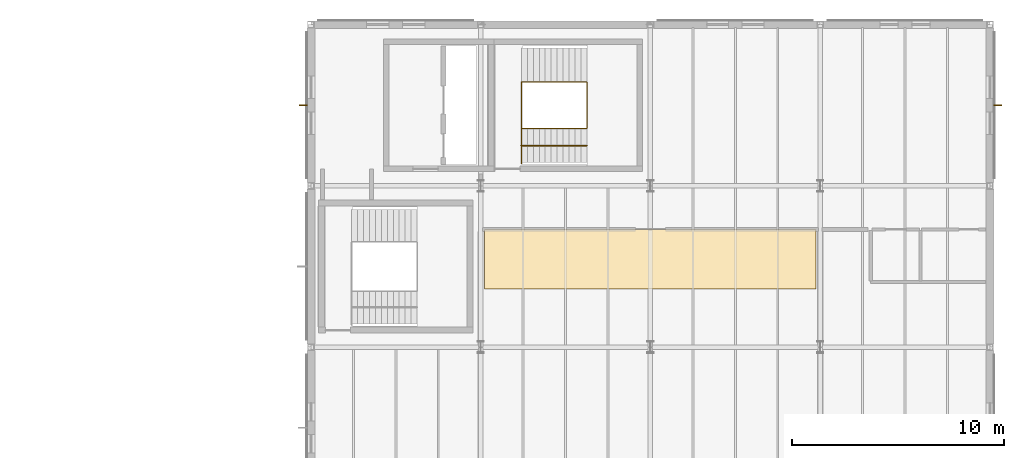
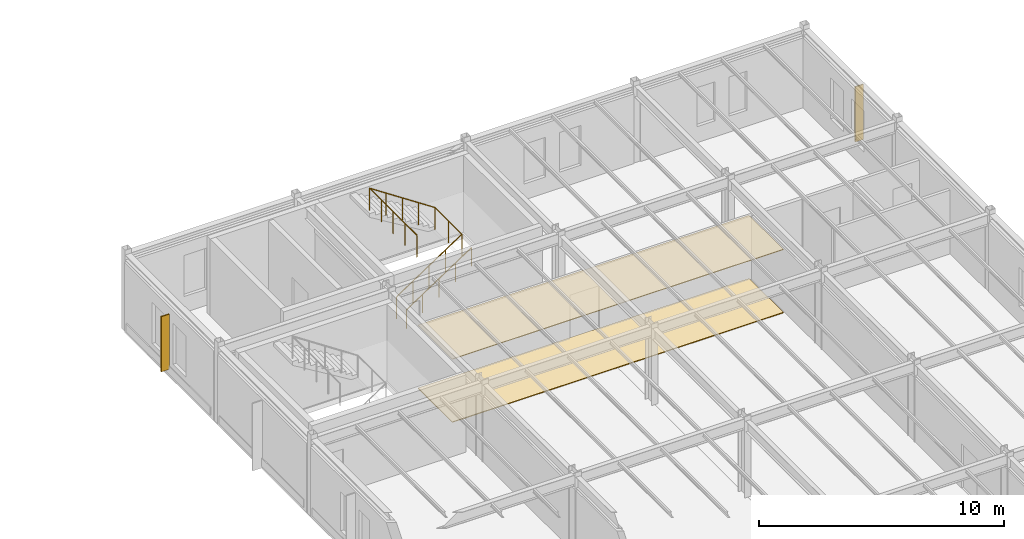
# One storey, part 165 of 165: 2 coverings, 2 railings, 2 shading devices.
"""IFC4 building model written with IfcOpenShell, lengths in metres."""

from ifc_helpers import new_model, si_unit, direction, frame, origin, origin_2d, place, context, subcontext, project, spatial, polyline, rectangle, circle, outline, extrude, material, layer, layer_set, type_object, element, save


model = new_model("IFC4")

# Units and contexts
model_context = context("Model", 3, precision=1e-05, world=origin(), true_north=direction((0.0, 1.0)))
body_context = subcontext(model_context, "Body", "Model", "MODEL_VIEW")
ifc_project = project(units=[si_unit("LENGTHUNIT", "METRE"), si_unit("AREAUNIT", "SQUARE_METRE"), si_unit("VOLUMEUNIT", "CUBIC_METRE"), si_unit("PLANEANGLEUNIT", "RADIAN"), si_unit("MASSUNIT", "GRAM", prefix="KILO")], contexts=[model_context])

# Site, building, storey
site_placement = place(None, origin())
site = spatial("IfcSite", under=ifc_project, at=site_placement, CompositionType="ELEMENT")
building_placement = place(site_placement, origin())
building = spatial("IfcBuilding", under=site, at=building_placement, Name="Montecoro Central Library", CompositionType="ELEMENT")
storey_placement = place(building_placement, frame((0.0, 0.0, 5.10009765625)))
storey = spatial("IfcBuildingStorey", under=building, at=storey_placement, Name="L01", CompositionType="ELEMENT", Elevation=5.10009765625)

# Coverings
ifc_material_1 = material(Name="Acoustic perforated mineral ceiling")
ifc_layer_1 = layer(ifc_material_1, 0.031982421875)
ifc_layer_set_1 = layer_set([ifc_layer_1], Name="Acoustic perforated mineral ceiling")
covering_type_1 = type_object("IfcCoveringType", Name="COV-CLG-02", PredefinedType="CEILING", material=ifc_layer_set_1)
covering_1_placement = place(storey_placement, frame((0.0, 0.0, 3.14794921875)))
element("IfcCovering", 1, at=covering_1_placement, inside=storey, type_object=covering_type_1, Name="CLG-SP-V5-L01-R2P1", PredefinedType="CEILING", context=body_context, shape_type="SweptSolid", body=[
    extrude(outline(polyline([(149.18994140625, 106.550048828125), (164.81005859375, 106.550048828125), (164.81005859375, 109.35009765625), (149.18994140625, 109.35009765625), (149.18994140625, 106.550048828125)])), origin(), (0.0, 0.0, 1.0), 0.031982421875),
])
ifc_material_2 = material(Name="Neapolitan brass-inlaid terrazzo flooring")
ifc_layer_2 = layer(ifc_material_2, 0.035888671875)
ifc_layer_set_2 = layer_set([ifc_layer_2], Name="Neapolitan brass-inlaid terrazzo flooring")
covering_type_2 = type_object("IfcCoveringType", Name="COV-FLR-02", PredefinedType="FLOORING", material=ifc_layer_set_2)
covering_2_placement = place(storey_placement, origin())
element("IfcCovering", 2, at=covering_2_placement, inside=storey, type_object=covering_type_2, Name="FLR-SP-V5-L01-R2P1", PredefinedType="FLOORING", context=body_context, shape_type="SweptSolid", body=[
    extrude(outline(polyline([(149.18994140625, 106.550048828125), (164.81005859375, 106.550048828125), (164.81005859375, 109.35009765625), (149.18994140625, 109.35009765625), (149.18994140625, 106.550048828125)])), origin(), (0.0, 0.0, 1.0), 0.035888671875),
])

# Railings
ifc_material_3 = material(Name="Brushed stainless steel and bronze balustrade", Category="steel")
railing_type_1 = type_object("IfcRailingType", Name="GRD-INT-110", PredefinedType="GUARDRAIL", material=ifc_material_3)
railing_1_placement = place(storey_placement, frame((150.919921875, 114.10009765625, 0.0)))
element("IfcRailing", 3, at=railing_1_placement, inside=storey, type_object=railing_type_1, Name="C6-L01-STR-GRD", PredefinedType="GUARDRAIL", context=body_context, shape_type="SweptSolid", body=[
    extrude(circle(Radius=0.02392578125, at=origin_2d()), frame((0.0, 0.0, 1.09619140625), z_axis=(0.833744305047, 0.0, 0.552150734675), x_axis=(0.0, 1.0, 0.0)), (0.0, 0.0, 1.0), 3.6943359375),
    extrude(circle(Radius=0.02392578125, at=origin_2d()), frame((3.080078125, 0.0, 3.1357421875), z_axis=(0.0, 1.0, 0.0), x_axis=(-1.0, 0.0, 0.0)), (0.0, 0.0, 1.0), 2.199951171875),
    extrude(circle(Radius=0.02392578125, at=origin_2d()), frame((3.080078125, 2.199951171875, 3.1357421875), z_axis=(-0.833713881912, 0.0, 0.552196670677), x_axis=(0.0, -1.0, 0.0)), (0.0, 0.0, 1.0), 3.6943359375),
    extrude(circle(Radius=0.02392578125, at=origin_2d()), frame((0.0, 2.199951171875, 5.17578125), z_axis=(0.0, -1.0, 0.0), x_axis=(1.0, 0.0, 0.0)), (0.0, 0.0, 1.0), 3.85009765625),
    extrude(circle(Radius=0.02099609375, at=origin_2d()), origin(), (0.0, 0.0, 1.0), 1.072021484375),
    extrude(circle(Radius=0.02099609375, at=origin_2d()), frame((0.77001953125, 0.0, 0.510009765625)), (0.0, 0.0, 1.0), 1.072021484375),
    extrude(circle(Radius=0.02099609375, at=origin_2d()), frame((1.5400390625, 0.0, 1.02001953125)), (0.0, 0.0, 1.0), 1.072021484375),
    extrude(circle(Radius=0.02099609375, at=origin_2d()), frame((2.31005859375, 0.0, 1.52978515625)), (0.0, 0.0, 1.0), 1.072021484375),
    extrude(circle(Radius=0.02099609375, at=origin_2d()), frame((3.080078125, 0.0, 2.039794921875)), (0.0, 0.0, 1.0), 1.072021484375),
    extrude(circle(Radius=0.02099609375, at=origin_2d()), frame((3.080078125, 1.10009765625, 2.039794921875)), (0.0, 0.0, 1.0), 1.072021484375),
    extrude(circle(Radius=0.02099609375, at=origin_2d()), frame((3.080078125, 2.199951171875, 2.039794921875)), (0.0, 0.0, 1.0), 1.072021484375),
    extrude(circle(Radius=0.02099609375, at=origin_2d()), frame((2.31005859375, 2.199951171875, 2.5498046875)), (0.0, 0.0, 1.0), 1.072021484375),
    extrude(circle(Radius=0.02099609375, at=origin_2d()), frame((1.5400390625, 2.199951171875, 3.059814453125)), (0.0, 0.0, 1.0), 1.072021484375),
    extrude(circle(Radius=0.02099609375, at=origin_2d()), frame((0.77001953125, 2.199951171875, 3.56982421875)), (0.0, 0.0, 1.0), 1.072021484375),
    extrude(circle(Radius=0.02099609375, at=origin_2d()), frame((0.0, 2.199951171875, 4.079833984375)), (0.0, 0.0, 1.0), 1.072021484375),
    extrude(circle(Radius=0.02099609375, at=origin_2d()), frame((0.0, 1.2373046875, 4.079833984375)), (0.0, 0.0, 1.0), 1.072021484375),
    extrude(circle(Radius=0.02099609375, at=origin_2d()), frame((0.0, 0.27490234375, 4.079833984375)), (0.0, 0.0, 1.0), 1.072021484375),
    extrude(circle(Radius=0.02099609375, at=origin_2d()), frame((0.0, -0.6875, 4.079833984375)), (0.0, 0.0, 1.0), 1.072021484375),
    extrude(circle(Radius=0.02099609375, at=origin_2d()), frame((0.0, -1.650146484375, 4.079833984375)), (0.0, 0.0, 1.0), 1.072021484375),
])
ifc_material_4 = material(Name="Brushed architectural bronze handrail")
railing_type_2 = type_object("IfcRailingType", Name="HRL-STR-095", PredefinedType="HANDRAIL", material=ifc_material_4)
railing_2_placement = place(storey_placement, frame((150.919921875, 113.300048828125, 0.0)))
element("IfcRailing", 4, at=railing_2_placement, inside=storey, type_object=railing_type_2, Name="C6-L01-STR-HR1", PredefinedType="HANDRAIL", context=body_context, shape_type="SweptSolid", body=[
    extrude(circle(Radius=0.02392578125, at=origin_2d()), frame((0.0, 0.0, 0.92578125), z_axis=(0.833744305047, 0.0, 0.552150734675), x_axis=(0.0, 1.0, 0.0)), (0.0, 0.0, 1.0), 3.6943359375),
    extrude(circle(Radius=0.02099609375, at=origin_2d()), origin(), (0.0, 0.0, 1.0), 0.90185546875),
    extrude(circle(Radius=0.02099609375, at=origin_2d()), frame((0.77001953125, 0.0, 0.510009765625)), (0.0, 0.0, 1.0), 0.90185546875),
    extrude(circle(Radius=0.02099609375, at=origin_2d()), frame((1.5400390625, 0.0, 1.02001953125)), (0.0, 0.0, 1.0), 0.90185546875),
    extrude(circle(Radius=0.02099609375, at=origin_2d()), frame((2.31005859375, 0.0, 1.52978515625)), (0.0, 0.0, 1.0), 0.90185546875),
    extrude(circle(Radius=0.02099609375, at=origin_2d()), frame((3.080078125, 0.0, 2.039794921875)), (0.0, 0.0, 1.0), 0.90185546875),
])

# Shading devices
ifc_material_5 = material(Name="Architectural bronze solar fin", Category="aluminium")
shading_device_type = type_object("IfcShadingDeviceType", Name="SHD-FIN-11", PredefinedType="USERDEFINED", material=ifc_material_5)
for number, where, z_axis, x_axis, name in (
    (5, (173.37060546875, 115.199951171875, 0.364990234375), (0.0, 0.0, 1.0), (0.0, 1.0, 0.0), "V5-L01-FIN-E5"),
    (6, (140.62939453125, 115.199951171875, 0.364990234375), (0.0, 0.0, 1.0), (0.0, -1.0, 0.0), "V5-L01-FIN-W5"),
):
    element("IfcShadingDevice", number, at=place(storey_placement, frame(where, z_axis=z_axis, x_axis=x_axis)), inside=storey, type_object=shading_device_type, Name=name, ObjectType="SOLAR FIN", PredefinedType="USERDEFINED", context=body_context, shape_type="SweptSolid", body=[
        extrude(rectangle(XDim=0.06005859375, YDim=0.3798828125, at=origin_2d()), origin(), (0.0, 0.0, 1.0), 2.75),
    ])

save(model, "model.ifc")
